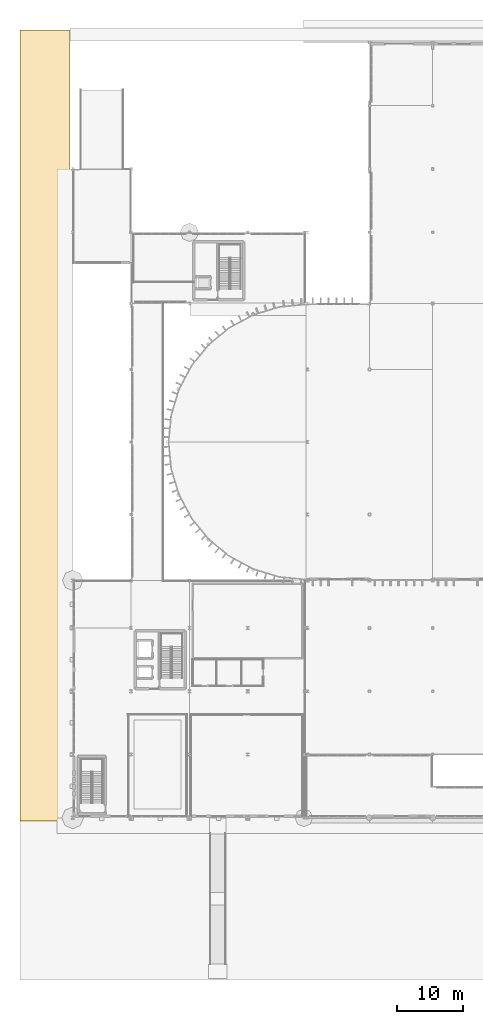
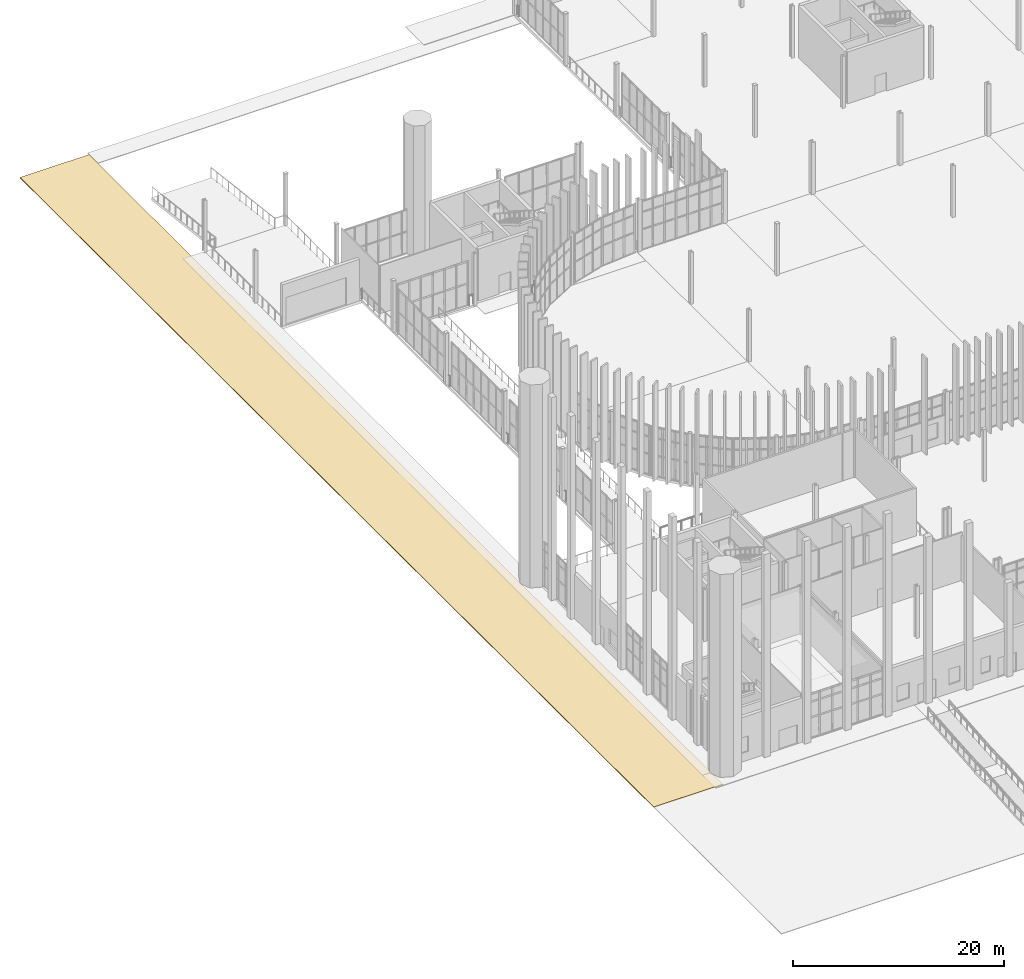
# One storey, part 122 of 139: 1 covering.
"""IFC4 building model written with IfcOpenShell, lengths in metres."""

from ifc_helpers import new_model, si_unit, direction, frame, origin, place, context, subcontext, project, spatial, polyline, outline, extrude, material, layer, layer_set, type_object, element, save


model = new_model("IFC4")

# Units and contexts
model_context = context("Model", 3, precision=1e-05, world=origin(), true_north=direction((0.0, 1.0)))
body_context = subcontext(model_context, "Body", "Model", "MODEL_VIEW")
ifc_project = project(units=[si_unit("LENGTHUNIT", "METRE"), si_unit("AREAUNIT", "SQUARE_METRE"), si_unit("VOLUMEUNIT", "CUBIC_METRE"), si_unit("PLANEANGLEUNIT", "RADIAN"), si_unit("MASSUNIT", "GRAM", prefix="KILO")], contexts=[model_context])

# Site, building, storey
site_placement = place(None, origin())
site = spatial("IfcSite", under=ifc_project, at=site_placement, CompositionType="ELEMENT")
building_placement = place(site_placement, origin())
building = spatial("IfcBuilding", under=site, at=building_placement, Name="Yeouljin Market Hall", CompositionType="ELEMENT")
storey_placement = place(building_placement, origin())
storey = spatial("IfcBuildingStorey", under=building, at=storey_placement, Name="L00", CompositionType="ELEMENT", Elevation=0.0)

# Covering
ifc_material = material(Name="Pocheon Granite Stone", Category="masonry")
ifc_layer = layer(ifc_material, 0.080078125)
ifc_layer_set = layer_set([ifc_layer], Name="Pocheon Granite Stone")
covering_type = type_object("IfcCoveringType", Name="Covering_Boulevard_PlazaPaving", PredefinedType="USERDEFINED", material=ifc_layer_set)
covering_placement = place(storey_placement, frame((0.0, 0.0, -1.52001953125)))
element("IfcCovering", 1, at=covering_placement, inside=storey, type_object=covering_type, Name="Yeouljin Boulevard street-grade granite paving BLVD-PAV-WEST", ObjectType="PAVING", PredefinedType="USERDEFINED", context=body_context, shape_type="SweptSolid", body=[
    extrude(outline(polyline([(-8.0, -0.449951171875), (-0.449951171875, -0.449951171875), (-0.449951171875, 119.5), (-8.0, 119.5), (-8.0, -0.449951171875)])), origin(), (0.0, 0.0, 1.0), 0.080078125),
])

save(model, "model.ifc")
